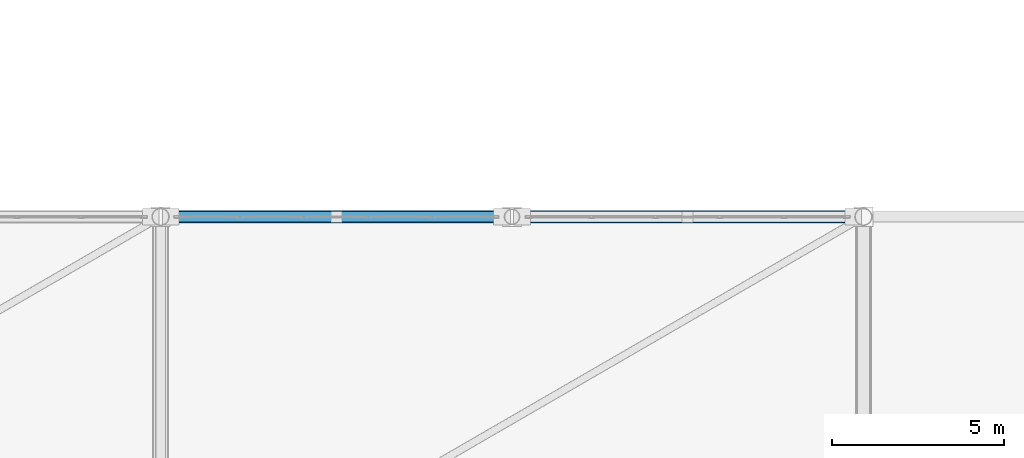
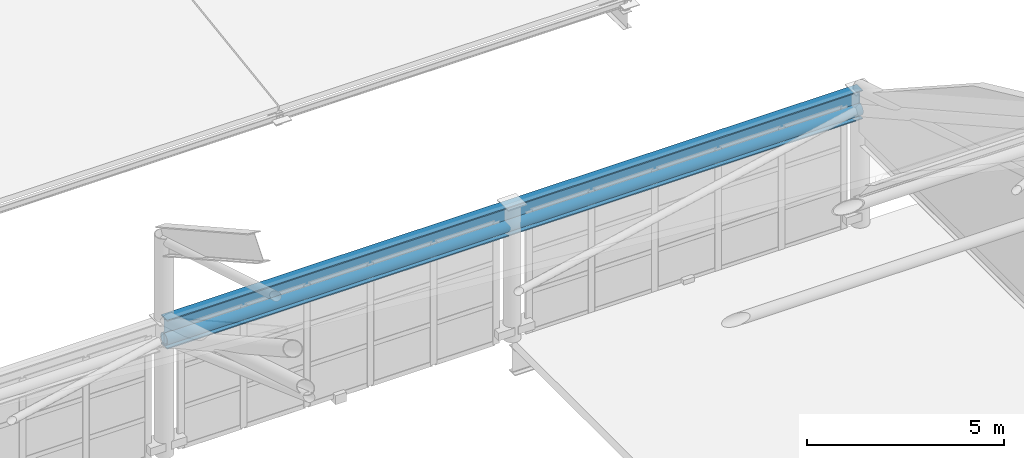
# One storey, part 81 of 135: 1 beam, 1 member.
"""IFC4 building model written with IfcOpenShell, lengths in metres."""

from ifc_helpers import new_model, si_unit, direction, frame, origin, origin_2d, place, context, subcontext, project, spatial, hollow_circle, i_section, extrude, material, material_profile, profile_set, type_object, element, save


model = new_model("IFC4")

# Units and contexts
model_context = context("Model", 3, precision=1e-05, world=origin(), true_north=direction((0.0, 1.0)))
body_context = subcontext(model_context, "Body", "Model", "MODEL_VIEW")
ifc_project = project(units=[si_unit("LENGTHUNIT", "METRE"), si_unit("AREAUNIT", "SQUARE_METRE"), si_unit("VOLUMEUNIT", "CUBIC_METRE"), si_unit("PLANEANGLEUNIT", "RADIAN"), si_unit("MASSUNIT", "GRAM", prefix="KILO")], contexts=[model_context])

# Site, building, storey
site_placement = place(None, origin())
site = spatial("IfcSite", under=ifc_project, at=site_placement, CompositionType="ELEMENT")
building_placement = place(site_placement, origin())
building = spatial("IfcBuilding", under=site, at=building_placement, Name="Brelvane Convention Centre", CompositionType="ELEMENT")
storey_placement = place(building_placement, frame((0.0, 0.0, 15.0)))
storey = spatial("IfcBuildingStorey", under=building, at=storey_placement, Name="L03", CompositionType="ELEMENT", Elevation=15.0)

# Beam
ifc_material_1 = material(Name="Steel E450 (450 MPa)", Category="steel")
ifc_material_profile_1 = material_profile(ifc_material_1, i_section(OverallWidth=0.300048828125, OverallDepth=0.89990234375, WebThickness=0.0166015625, FlangeThickness=0.031982421875, FilletRadius=0.027099609375, at=origin_2d()), Name="NPB 900x300")
ifc_profile_set_1 = profile_set([ifc_material_profile_1], Name="Steel E450 (450 MPa)")
beam_type = type_object("IfcBeamType", Name="Steel Beam B-ST1 (NPB 900x300)", PredefinedType="BEAM", material=ifc_profile_set_1)
beam_placement = place(storey_placement, frame((204.0, 87.800048828125, 3.75), z_axis=(1.0, 0.0, 0.0), x_axis=(0.0, 1.0, 0.0)))
element("IfcBeam", 1, at=beam_placement, inside=storey, type_object=beam_type, Name="SF_PLEN Eaves Ring Girder N-3", PredefinedType="BEAM", context=body_context, shape_type="SweptSolid", body=[
    extrude(i_section(OverallWidth=0.300048828125, OverallDepth=0.89990234375, WebThickness=0.0166015625, FlangeThickness=0.031982421875, FilletRadius=0.027099609375, at=origin_2d()), origin(), (0.0, 0.0, 1.0), 20.39990234375),
])

# Member
ifc_material_2 = material(Name="Steel E450 (450 MPa)", Category="steel")
ifc_material_profile_2 = material_profile(ifc_material_2, hollow_circle(Radius=0.177734375, WallThickness=0.01611328125, at=origin_2d()), Name="CHS 355.6x16.0")
ifc_profile_set_2 = profile_set([ifc_material_profile_2], Name="Steel E450 (450 MPa)")
member_type = type_object("IfcMemberType", Name="Steel Chord SF-TC2 (CHS 355.6x16.0)", PredefinedType="CHORD", material=ifc_profile_set_2)
member_placement = place(storey_placement, frame((204.0, 87.800048828125, 3.5400390625), z_axis=(1.0, 0.0, 0.0), x_axis=(0.0, 1.0, 0.0)))
element("IfcMember", 2, at=member_placement, inside=storey, type_object=member_type, Name="SF_PLEN Longitudinal Top Chord LT3.5", PredefinedType="CHORD", context=body_context, shape_type="SweptSolid", body=[
    extrude(hollow_circle(Radius=0.177734375, WallThickness=0.01611328125, at=origin_2d()), origin(), (0.0, 0.0, 1.0), 20.39990234375),
])

save(model, "model.ifc")
